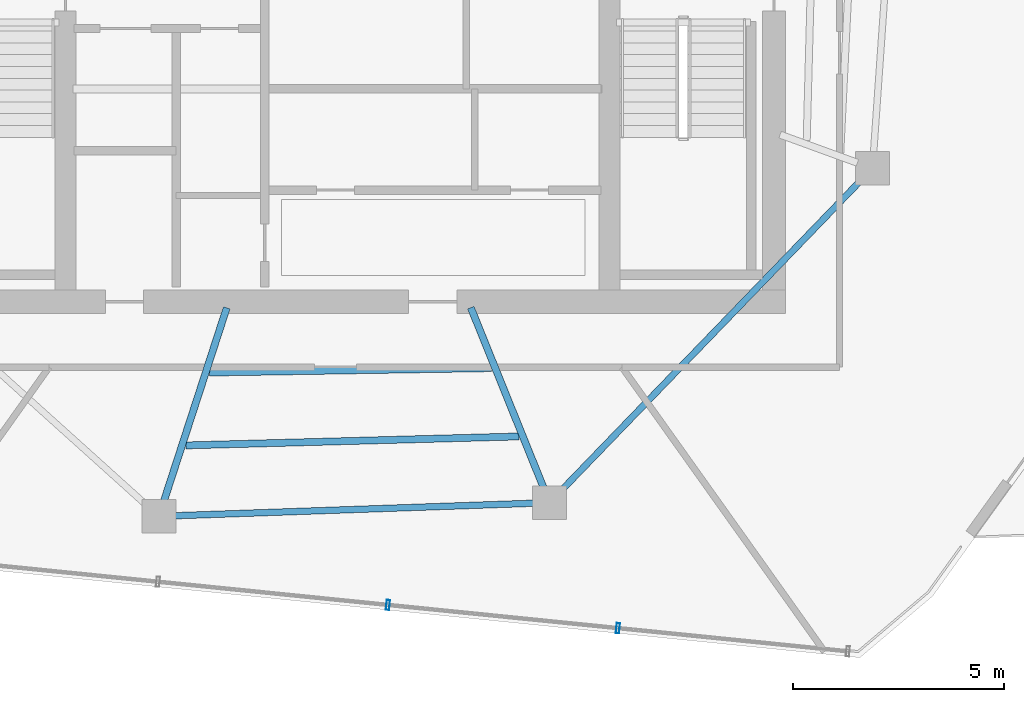
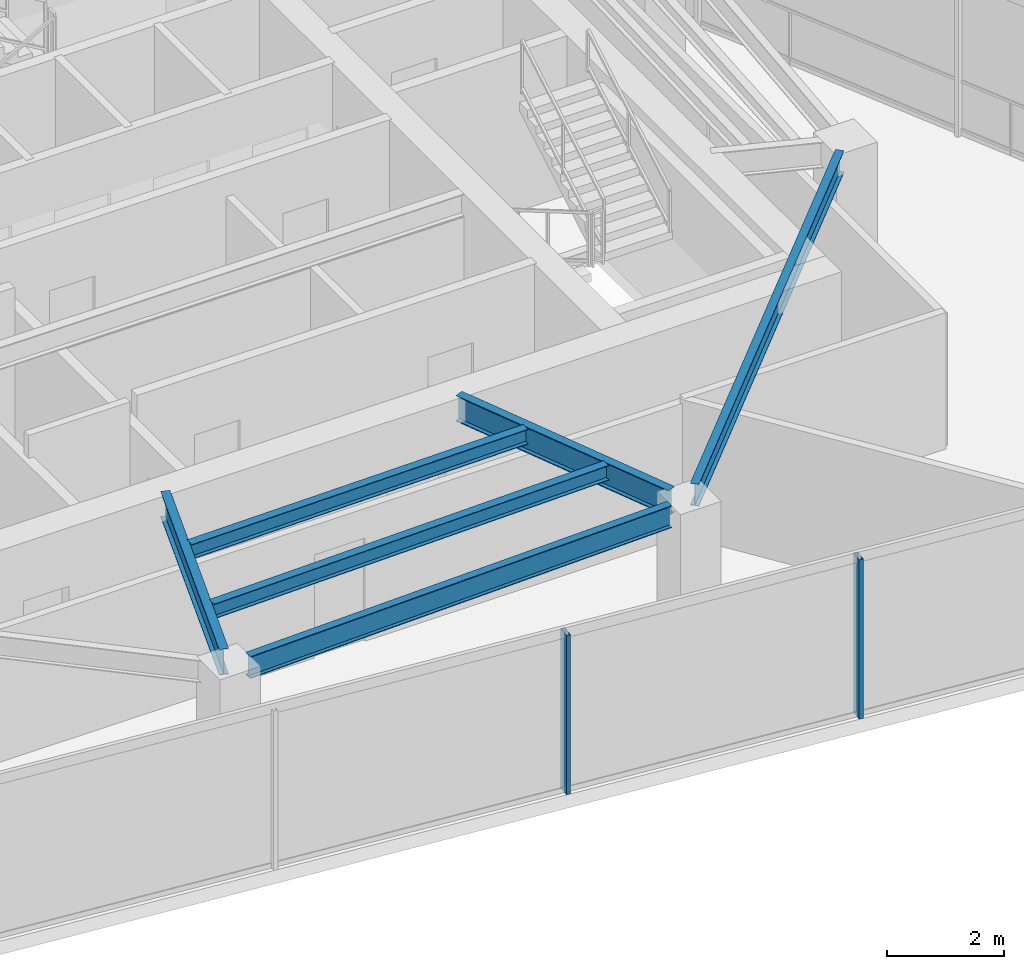
# One storey, part 4 of 18: 6 beams, 2 members, 1 element without a shape of its own.
"""IFC4 building model written with IfcOpenShell, lengths in metres."""

from ifc_helpers import new_model, si_unit, direction, frame, origin, origin_2d, place, context, subcontext, project, spatial, hollow_rectangle, i_section, extrude, material, layer, layer_set, material_profile, profile_set, type_object, element, aggregate, save


model = new_model("IFC4")

# Units and contexts
model_context = context("Model", 3, precision=1e-05, world=origin(), true_north=direction((0.0, 1.0)))
body_context = subcontext(model_context, "Body", "Model", "MODEL_VIEW")
ifc_project = project(units=[si_unit("LENGTHUNIT", "METRE"), si_unit("AREAUNIT", "SQUARE_METRE"), si_unit("VOLUMEUNIT", "CUBIC_METRE"), si_unit("PLANEANGLEUNIT", "RADIAN"), si_unit("MASSUNIT", "GRAM", prefix="KILO")], contexts=[model_context])

# Site, building, storey
site_placement = place(None, origin())
site = spatial("IfcSite", under=ifc_project, at=site_placement, CompositionType="ELEMENT")
building_placement = place(site_placement, origin())
building = spatial("IfcBuilding", under=site, at=building_placement, Name="Qarnah Convention Tower", CompositionType="ELEMENT")
storey_placement = place(building_placement, frame((0.0, 0.0, 271.5)))
storey = spatial("IfcBuildingStorey", under=building, at=storey_placement, Name="L73", CompositionType="ELEMENT", Elevation=271.5)

# Beams
ifc_material_1 = material(Name="Structural steel S355JR", Category="steel")
ifc_material_profile_1 = material_profile(ifc_material_1, i_section(OverallWidth=0.166015625, OverallDepth=0.31201171875, WebThickness=0.007080078125, FlangeThickness=0.010986328125, at=origin_2d()), Name="W310X45")
ifc_profile_set_1 = profile_set([ifc_material_profile_1], Name="Structural steel S355JR")
beam_type_1 = type_object("IfcBeamType", Name="BM-JST-W310", PredefinedType="JOIST", material=ifc_profile_set_1)
beam_1_placement = place(storey_placement, frame((33.64794921875, 15.194091796875, 3.1640625), z_axis=(0.999637377736, 0.026927922937, 0.0), x_axis=(-0.026927922937, 0.999637377736, 0.0)))
element("IfcBeam", 1, at=beam_1_placement, inside=storey, type_object=beam_type_1, Name="L73 joist BM-L73-SJST-07", PredefinedType="JOIST", context=body_context, shape_type="SweptSolid", body=[
    extrude(i_section(OverallWidth=0.166015625, OverallDepth=0.31201171875, WebThickness=0.007080078125, FlangeThickness=0.010986328125, at=origin_2d()), origin(), (0.0, 0.0, 1.0), 7.906005859375),
])
beam_2_placement = place(storey_placement, frame((34.2109375, 16.922119140625, 3.1640625), z_axis=(0.99987675497, 0.015699518171, 0.0), x_axis=(-0.015699518171, 0.99987675497, 0.0)))
element("IfcBeam", 2, at=beam_2_placement, inside=storey, type_object=beam_type_1, Name="L73 joist BM-L73-IJST-07", PredefinedType="JOIST", context=body_context, shape_type="SweptSolid", body=[
    extrude(i_section(OverallWidth=0.166015625, OverallDepth=0.31201171875, WebThickness=0.007080078125, FlangeThickness=0.010986328125, at=origin_2d()), origin(), (0.0, 0.0, 1.0), 6.686767578125),
])
ifc_material_profile_2 = material_profile(ifc_material_1, i_section(OverallWidth=0.166015625, OverallDepth=0.535888671875, WebThickness=0.010009765625, FlangeThickness=0.01708984375, at=origin_2d()), Name="W530X85")
ifc_profile_set_2 = profile_set([ifc_material_profile_2], Name="Structural steel S355JR")
beam_type_2 = type_object("IfcBeamType", Name="BM-RAD-W530B", PredefinedType="BEAM", material=ifc_profile_set_2)
beam_3_placement = place(storey_placement, frame((34.6201171875, 18.45703125, 3.052001953125), z_axis=(-0.309228111383, -0.950987894313, 0.0), x_axis=(0.950987894313, -0.309228111383, 0.0)))
element("IfcBeam", 3, at=beam_3_placement, inside=storey, type_object=beam_type_2, Name="L73 beam BM-L73-RAD-07", PredefinedType="BEAM", context=body_context, shape_type="SweptSolid", body=[
    extrude(i_section(OverallWidth=0.166015625, OverallDepth=0.535888671875, WebThickness=0.010009765625, FlangeThickness=0.01708984375, at=origin_2d()), origin(), (0.0, 0.0, 1.0), 4.819091796875),
])
beam_4_placement = place(storey_placement, frame((40.407958984375, 18.4609375, 3.052001953125), z_axis=(0.374622495532, -0.927177429536, 0.0), x_axis=(0.927177429536, 0.374622495532, 0.0)))
element("IfcBeam", 4, at=beam_4_placement, inside=storey, type_object=beam_type_2, Name="L73 beam BM-L73-RAD-08", PredefinedType="BEAM", context=body_context, shape_type="SweptSolid", body=[
    extrude(i_section(OverallWidth=0.166015625, OverallDepth=0.535888671875, WebThickness=0.010009765625, FlangeThickness=0.01708984375, at=origin_2d()), origin(), (0.0, 0.0, 1.0), 4.607421875),
])
ifc_material_profile_3 = material_profile(ifc_material_1, i_section(OverallWidth=0.154052734375, OverallDepth=0.4599609375, WebThickness=0.009033203125, FlangeThickness=0.014892578125, at=origin_2d()), Name="W460X68")
ifc_profile_set_3 = profile_set([ifc_material_profile_3], Name="Structural steel S355JR")
beam_type_3 = type_object("IfcBeamType", Name="BM-SPN-W460B", PredefinedType="SPANDREL", material=ifc_profile_set_3)
beam_5_placement = place(storey_placement, frame((33.403076171875, 13.527099609375, 3.090087890625), z_axis=(0.999392187652, 0.034860511467, 0.0), x_axis=(-0.034860511467, 0.999392187652, 0.0)))
element("IfcBeam", 5, at=beam_5_placement, inside=storey, type_object=beam_type_3, Name="L73 spandrel BM-L73-SPN-07", PredefinedType="SPANDREL", context=body_context, shape_type="SweptSolid", body=[
    extrude(i_section(OverallWidth=0.154052734375, OverallDepth=0.4599609375, WebThickness=0.009033203125, FlangeThickness=0.014892578125, at=origin_2d()), origin(), (0.0, 0.0, 1.0), 8.488037109375),
])
beam_6_placement = place(storey_placement, frame((42.547119140625, 14.117919921875, 3.090087890625), z_axis=(0.694687671008, 0.719311503974, 0.0), x_axis=(-0.719311503974, 0.694687671008, 0.0)))
element("IfcBeam", 6, at=beam_6_placement, inside=storey, type_object=beam_type_3, Name="L73 spandrel BM-L73-SPN-08", PredefinedType="SPANDREL", context=body_context, shape_type="SweptSolid", body=[
    extrude(i_section(OverallWidth=0.154052734375, OverallDepth=0.4599609375, WebThickness=0.009033203125, FlangeThickness=0.014892578125, at=origin_2d()), origin(), (0.0, 0.0, 1.0), 10.241943359375),
])

# Curtain wall, members
ifc_material_2 = material(Name="Tempered Low-E dark glass", Category="glass")
ifc_layer = layer(ifc_material_2, 0.176025390625)
ifc_layer_set = layer_set([ifc_layer], Name="Tempered Low-E dark glass")
curtain_wall_type = type_object("IfcCurtainWallType", Name="CWS-05", PredefinedType="NOTDEFINED", material=ifc_layer_set)
curtain_wall_placement = place(storey_placement, origin())
curtain_wall = element("IfcCurtainWall", 7, at=curtain_wall_placement, inside=storey, type_object=curtain_wall_type, Name="L73 unitised curtain wall CW-L73-F3", PredefinedType="NOTDEFINED")
ifc_material_3 = material(Name="Black anodised aluminium", Category="aluminium")
ifc_material_profile_4 = material_profile(ifc_material_3, hollow_rectangle(XDim=0.080078125, YDim=0.239990234375, WallThickness=0.0048828125, at=origin_2d()), Name="MUL-80X240")
ifc_profile_set_4 = profile_set([ifc_material_profile_4], Name="Black anodised aluminium")
member_type = type_object("IfcMemberType", Name="MUL-T5", PredefinedType="MULLION", material=ifc_profile_set_4)
member_1_placement = place(storey_placement, frame((43.895751953125, 10.861083984375, 0.0), z_axis=(0.0, 0.0, 1.0), x_axis=(-0.994952288594, 0.100349107729, 0.0)))
member_1 = element("IfcMember", 8, at=member_1_placement, type_object=member_type, Name="CW-L73-F3 mullion 2", PredefinedType="MULLION", context=body_context, shape_type="SweptSolid", body=[
    extrude(hollow_rectangle(XDim=0.080078125, YDim=0.239990234375, WallThickness=0.0048828125, at=origin_2d()), origin(), (0.0, 0.0, 1.0), 3.320068359375),
])
member_2_placement = place(storey_placement, frame((38.442626953125, 11.410888671875, 0.0), z_axis=(0.0, 0.0, 1.0), x_axis=(-0.994952288594, 0.100349107729, 0.0)))
member_2 = element("IfcMember", 9, at=member_2_placement, type_object=member_type, Name="CW-L73-F3 mullion 3", PredefinedType="MULLION", context=body_context, shape_type="SweptSolid", body=[
    extrude(hollow_rectangle(XDim=0.080078125, YDim=0.239990234375, WallThickness=0.0048828125, at=origin_2d()), origin(), (0.0, 0.0, 1.0), 3.320068359375),
])
aggregate(curtain_wall, [member_1, member_2])

save(model, "model.ifc")
